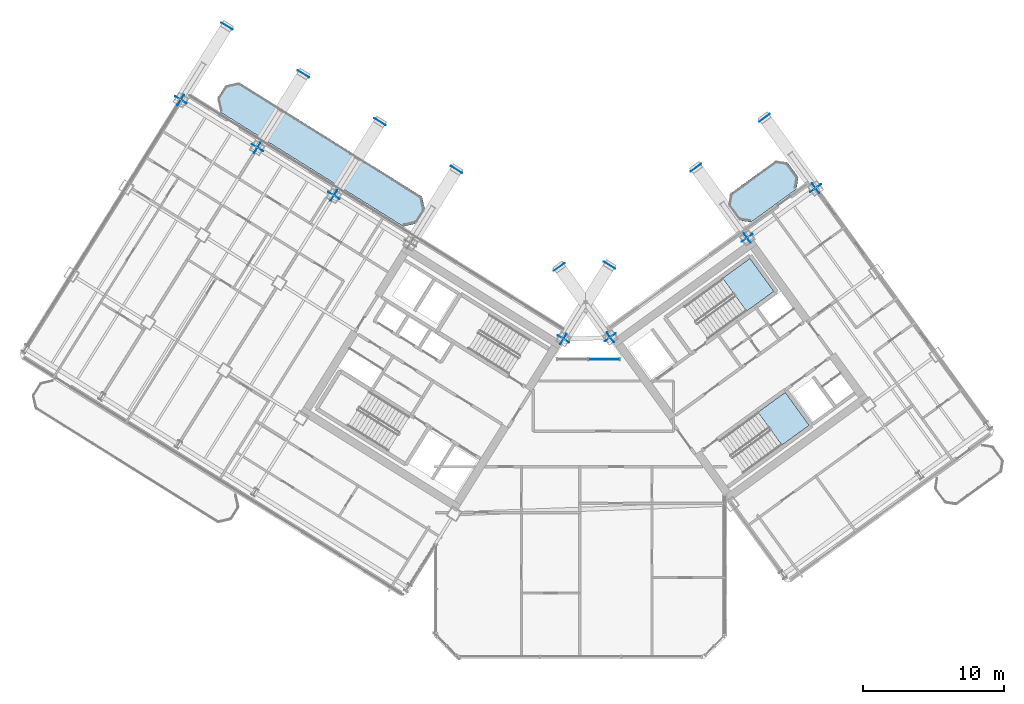
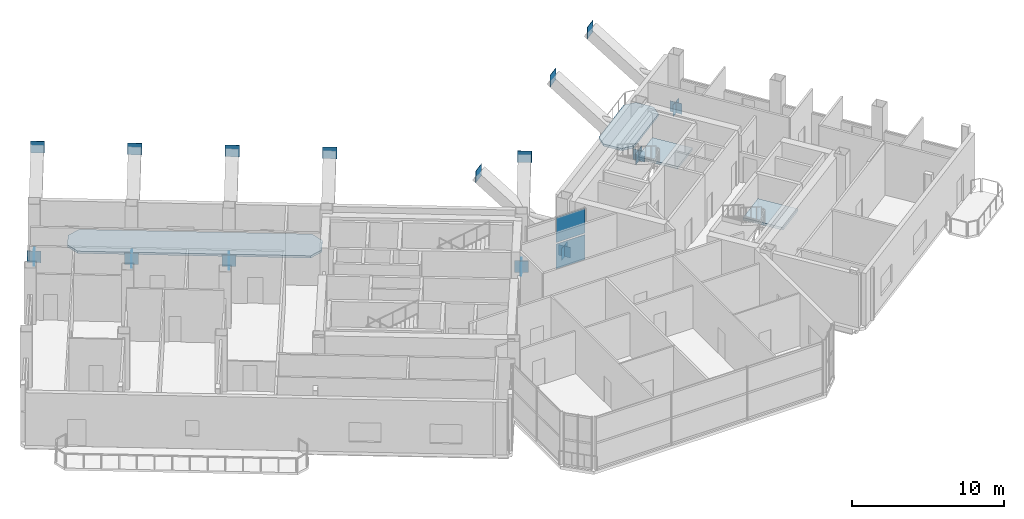
# One storey, part 16 of 34: 24 plates, 4 slabs, 3 elements without a shape of their own.
"""IFC4 building model written with IfcOpenShell, lengths in metres."""

from ifc_helpers import new_model, si_unit, direction, frame, origin, origin_2d, place, context, subcontext, project, spatial, polyline, rectangle, outline, extrude, source, transform, mapped, material, layer, layer_set, type_object, element, aggregate, save


model = new_model("IFC4")

# Units and contexts
model_context = context("Model", 3, precision=1e-05, world=origin(), true_north=direction((0.0, 1.0)))
body_context = subcontext(model_context, "Body", "Model", "MODEL_VIEW")
ifc_project = project(units=[si_unit("LENGTHUNIT", "METRE"), si_unit("AREAUNIT", "SQUARE_METRE"), si_unit("VOLUMEUNIT", "CUBIC_METRE"), si_unit("PLANEANGLEUNIT", "RADIAN"), si_unit("MASSUNIT", "GRAM", prefix="KILO")], contexts=[model_context])

# Site, building, storey
site_placement = place(None, origin())
site = spatial("IfcSite", under=ifc_project, at=site_placement, CompositionType="ELEMENT")
building_placement = place(site_placement, origin())
building = spatial("IfcBuilding", under=site, at=building_placement, Name="Tlacorven Tower", CompositionType="ELEMENT")
storey_placement = place(building_placement, frame((0.0, 0.0, 174.89990234375)))
storey = spatial("IfcBuildingStorey", under=building, at=storey_placement, Name="L44", CompositionType="ELEMENT", Elevation=174.89990234375)

# Slabs
ifc_material_1 = material(Name="Precast concrete C45/55", Category="concrete")
ifc_layer_1 = layer(ifc_material_1, 0.179931640625)
ifc_layer_set_1 = layer_set([ifc_layer_1], Name="Precast concrete C45/55")
slab_type_1 = type_object("IfcSlabType", Name="SL-BAL-180", PredefinedType="USERDEFINED", material=ifc_layer_set_1)
slab_1_placement = place(storey_placement, frame((0.0, 0.0, -0.179931640625)))
element("IfcSlab", 1, at=slab_1_placement, inside=storey, type_object=slab_type_1, Name="L44 West Wing Balcony Ribbon IN", ObjectType="BALCONY SLAB", PredefinedType="USERDEFINED", context=body_context, shape_type="SweptSolid", body=[
    extrude(outline(polyline([(30.756591796875, 34.57763671875), (17.781494140625, 42.685546875), (16.81689453125, 42.462890625), (16.236572265625, 41.5341796875), (16.459228515625, 40.569580078125), (29.434326171875, 32.4619140625), (30.39892578125, 32.6845703125), (30.979248046875, 33.613037109375), (30.756591796875, 34.57763671875)])), origin(), (0.0, 0.0, 1.0), 0.179931640625),
])
slab_2_placement = place(storey_placement, frame((0.0, 0.0, -0.179931640625)))
element("IfcSlab", 2, at=slab_2_placement, inside=storey, type_object=slab_type_1, Name="L44 East Wing Balcony Ribbon IN", ObjectType="BALCONY SLAB", PredefinedType="USERDEFINED", context=body_context, shape_type="SweptSolid", body=[
    extrude(outline(polyline([(54.078125, 32.762939453125), (57.314208984375, 35.114013671875), (57.44677734375, 35.9521484375), (56.685791015625, 36.999755859375), (55.84765625, 37.132568359375), (52.611572265625, 34.78125), (52.478759765625, 33.943359375), (53.239990234375, 32.8955078125), (54.078125, 32.762939453125)])), origin(), (0.0, 0.0, 1.0), 0.179931640625),
])

# Stair, slab
ifc_material_2 = material(Name="Concrete C40/50", Category="concrete")
stair_type = type_object("IfcStairType", Name="ST-CORE-DLG", PredefinedType="HALF_TURN_STAIR", material=ifc_material_2)
stair_1_placement = place(storey_placement, origin())
stair_1 = element("IfcStair", 3, at=stair_1_placement, inside=storey, type_object=stair_type, Name="L44 Protected Exit Stair East 1", PredefinedType="HALF_TURN_STAIR")
ifc_layer_2 = layer(ifc_material_2, 0.199951171875)
ifc_layer_set_2 = layer_set([ifc_layer_2], Name="Concrete C40/50")
slab_type_2 = type_object("IfcSlabType", Name="SL-LND-200", PredefinedType="LANDING", material=ifc_layer_set_2)
slab_3_placement = place(storey_placement, frame((0.0, 0.0, 2.050048828125)))
slab_3 = element("IfcSlab", 4, at=slab_3_placement, type_object=slab_type_2, Name="ST-E1 landing 1", PredefinedType="LANDING", context=body_context, shape_type="SweptSolid", body=[
    extrude(outline(polyline([(53.77734375, 26.456787109375), (55.7109375, 27.861572265625), (54.01806640625, 30.19140625), (52.08447265625, 28.78662109375), (53.77734375, 26.456787109375)])), origin(), (0.0, 0.0, 1.0), 0.199951171875),
])
aggregate(stair_1, [slab_3])

stair_2_placement = place(storey_placement, origin())
stair_2 = element("IfcStair", 5, at=stair_2_placement, inside=storey, type_object=stair_type, Name="L44 Protected Exit Stair East 2", PredefinedType="HALF_TURN_STAIR")
slab_4_placement = place(storey_placement, frame((0.0, 0.0, 2.050048828125)))
slab_4 = element("IfcSlab", 6, at=slab_4_placement, type_object=slab_type_2, Name="ST-E2 landing 1", PredefinedType="LANDING", context=body_context, shape_type="SweptSolid", body=[
    extrude(outline(polyline([(56.28125, 16.95361328125), (58.21484375, 18.3583984375), (56.52197265625, 20.6884765625), (54.58837890625, 19.283447265625), (56.28125, 16.95361328125)])), origin(), (0.0, 0.0, 1.0), 0.199951171875),
])
aggregate(stair_2, [slab_4])

# Plates
ifc_material_3 = material(Name="Steel S460M", Category="steel")
ifc_layer_3 = layer(ifc_material_3, 0.02392578125)
ifc_layer_set_3 = layer_set([ifc_layer_3], Name="Steel S460M")
plate_type_1 = type_object("IfcPlateType", Name="PL-CAP-END1", PredefinedType="USERDEFINED", material=ifc_layer_set_3)
shared_shape_1 = source(origin(), body_context, "Body", "SweptSolid", [
    extrude(rectangle(XDim=0.02392578125, YDim=0.929931640625, at=origin_2d()), origin(), (0.0, 0.0, 1.0), 0.929931640625),
])
for number, where, z_axis, x_axis, name in (
    (7, (40.79150390625, 24.482177734375, -0.453125), (0.0, 0.0, 1.0), (0.529919363061, 0.848048034402, 0.0), "L44 hollow end cap plate RAK-L44-W1 1"),
    (8, (44.059814453125, 29.712646484375, 4.0234375), (0.0, 0.0, 1.0), (0.529919363061, 0.848048034402, 0.0), "L44 hollow end cap plate RAK-L44-W1 2"),
    (9, (33.204833984375, 36.49560546875, 4.0234375), (0.0, 0.0, 1.0), (0.529919406799, 0.848048007072, 0.0), "L44 hollow end cap plate RAK-L44-W3 2"),
    (10, (24.509033203125, 34.656494140625, -0.453125), (0.0, 0.0, 1.0), (0.529919479665, 0.84804796154, 0.0), "L44 hollow end cap plate RAK-L44-W4 1"),
    (11, (27.77734375, 39.886962890625, 4.0234375), (0.0, 0.0, 1.0), (0.529919479665, 0.84804796154, 0.0), "L44 hollow end cap plate RAK-L44-W4 2"),
    (12, (19.08154296875, 38.048095703125, -0.453125), (0.0, 0.0, 1.0), (0.529919363061, 0.848048034402, 0.0), "L44 hollow end cap plate RAK-L44-W5 1"),
    (13, (22.349853515625, 43.278564453125, 4.0234375), (0.0, 0.0, 1.0), (0.529919363061, 0.848048034402, 0.0), "L44 hollow end cap plate RAK-L44-W5 2"),
    (14, (13.654052734375, 41.439453125, -0.453125), (0.0, 0.0, 1.0), (0.529919363061, 0.848048034402, 0.0), "L44 hollow end cap plate RAK-L44-W6 1"),
    (15, (16.92236328125, 46.669921875, 4.0234375), (0.0, 0.0, 1.0), (0.529919363061, 0.848048034402, 0.0), "L44 hollow end cap plate RAK-L44-W6 2"),
    (16, (44.1142578125, 24.59814453125, -0.453125), (0.0, 0.0, 1.0), (-0.587785342477, 0.809016928852, 0.0), "L44 hollow end cap plate RAK-L44-E1 1"),
    (17, (40.489013671875, 29.587890625, 4.0234375), (0.0, 0.0, 1.0), (-0.587785342477, 0.809016928852, 0.0), "L44 hollow end cap plate RAK-L44-E1 2"),
    (18, (53.822509765625, 31.651611328125, -0.453125), (0.0, 0.0, 1.0), (-0.587785342477, 0.809016928852, 0.0), "L44 hollow end cap plate RAK-L44-E3 1"),
    (19, (50.197265625, 36.641357421875, 4.0234375), (0.0, 0.0, 1.0), (-0.587785342477, 0.809016928852, 0.0), "L44 hollow end cap plate RAK-L44-E3 2"),
    (20, (58.676513671875, 35.17822265625, -0.453125), (0.0, 0.0, 1.0), (-0.587785159256, 0.80901706197, 0.0), "L44 hollow end cap plate RAK-L44-E4 1"),
    (21, (55.05126953125, 40.16796875, 4.0234375), (0.0, 0.0, 1.0), (-0.587785159256, 0.80901706197, 0.0), "L44 hollow end cap plate RAK-L44-E4 2"),
):
    element("IfcPlate", number, at=place(storey_placement, frame(where, z_axis=z_axis, x_axis=x_axis)), inside=storey, type_object=plate_type_1, Name=name, ObjectType="END PLATE", PredefinedType="USERDEFINED", context=body_context, shape_type="MappedRepresentation", body=[
        mapped(shared_shape_1, transform((0.0, 0.0, 0.0), scale=1.0)),
    ])
ifc_layer_4 = layer(ifc_material_3, 0.031982421875)
ifc_layer_set_4 = layer_set([ifc_layer_4], Name="Steel S460M")
plate_type_2 = type_object("IfcPlateType", Name="PL-NODE-KN1", PredefinedType="SHEET", material=ifc_layer_set_4)
shared_shape_2 = source(origin(), body_context, "Body", "SweptSolid", [
    extrude(rectangle(XDim=0.85009765625, YDim=0.031982421875, at=origin_2d()), origin(), (0.0, 0.0, 1.0), 0.85009765625),
])
for number, where, z_axis, x_axis, name in (
    (22, (40.787353515625, 24.475341796875, -0.419189453125), (0.0, 0.0, 1.0), (0.529919363061, 0.848048034402, 0.0), "L44 structural node gusset plate RAK-L44-W1"),
    (23, (24.504638671875, 34.649658203125, -0.419189453125), (0.0, 0.0, 1.0), (0.529919479665, 0.84804796154, 0.0), "L44 structural node gusset plate RAK-L44-W4"),
    (24, (19.0771484375, 38.041259765625, -0.419189453125), (0.0, 0.0, 1.0), (0.529919363061, 0.848048034402, 0.0), "L44 structural node gusset plate RAK-L44-W5"),
    (25, (13.649658203125, 41.4326171875, -0.419189453125), (0.0, 0.0, 1.0), (0.529919363061, 0.848048034402, 0.0), "L44 structural node gusset plate RAK-L44-W6"),
    (26, (44.118896484375, 24.591552734375, -0.419189453125), (0.0, 0.0, 1.0), (-0.587785342477, 0.809016928852, 0.0), "L44 structural node gusset plate RAK-L44-E1"),
    (27, (53.8271484375, 31.64501953125, -0.419189453125), (0.0, 0.0, 1.0), (-0.587785342477, 0.809016928852, 0.0), "L44 structural node gusset plate RAK-L44-E3"),
    (28, (58.681396484375, 35.171630859375, -0.419189453125), (0.0, 0.0, 1.0), (-0.587785159256, 0.80901706197, 0.0), "L44 structural node gusset plate RAK-L44-E4"),
):
    element("IfcPlate", number, at=place(storey_placement, frame(where, z_axis=z_axis, x_axis=x_axis)), inside=storey, type_object=plate_type_2, Name=name, PredefinedType="SHEET", context=body_context, shape_type="MappedRepresentation", body=[
        mapped(shared_shape_2, transform((0.0, 0.0, 0.0), scale=1.0)),
    ])

# Curtain wall, plates
ifc_material_4 = material(Name="Dark solar low-E double glazing in aluminium frame", Category="aluminium")
curtain_wall_type = type_object("IfcCurtainWallType", Name="CW-TWR-MID", PredefinedType="USERDEFINED", material=ifc_material_4)
curtain_wall_placement = place(storey_placement, origin())
curtain_wall = element("IfcCurtainWall", 29, at=curtain_wall_placement, inside=storey, type_object=curtain_wall_type, Name="L44 CW-TWR-MID Curtain Wall 207", ObjectType="UNITISED CURTAIN WALL", PredefinedType="USERDEFINED")
ifc_material_5 = material(Name="High-wind dark solar tempered low-E glazing", Category="glass")
ifc_layer_5 = layer(ifc_material_5, 0.028076171875)
ifc_layer_set_5 = layer_set([ifc_layer_5], Name="High-wind dark solar tempered low-E glazing")
plate_type_3 = type_object("IfcPlateType", Name="CWP-03", PredefinedType="CURTAIN_PANEL", material=ifc_layer_set_5)
shared_shape_3 = source(origin(), body_context, "Body", "SweptSolid", [
    extrude(rectangle(XDim=2.178466796875, YDim=0.028076171875, at=origin_2d()), origin(), (0.0, 0.0, 1.0), 1.988037109375),
])
plate_1_placement = place(storey_placement, frame((43.673583984375, 23.0400390625, 0.06103515625), z_axis=(0.0, 0.0, 1.0), x_axis=(1.0, 0.0, 0.0)))
plate_1 = element("IfcPlate", 30, at=plate_1_placement, type_object=plate_type_3, Name="CW-L44-207 Glazing Panel 3", PredefinedType="CURTAIN_PANEL", context=body_context, shape_type="MappedRepresentation", body=[
    mapped(shared_shape_3, transform((0.0, 0.0, 0.0), scale=1.0)),
])
plate_2_placement = place(storey_placement, frame((43.673583984375, 23.0400390625, 2.1708984375), z_axis=(0.0, 0.0, 1.0), x_axis=(1.0, 0.0, 0.0)))
plate_2 = element("IfcPlate", 31, at=plate_2_placement, type_object=plate_type_3, Name="CW-L44-207 Glazing Panel 4", PredefinedType="CURTAIN_PANEL", context=body_context, shape_type="MappedRepresentation", body=[
    mapped(shared_shape_3, transform((0.0, 0.0, 0.0), scale=1.0)),
])
aggregate(curtain_wall, [plate_1, plate_2])

save(model, "model.ifc")
